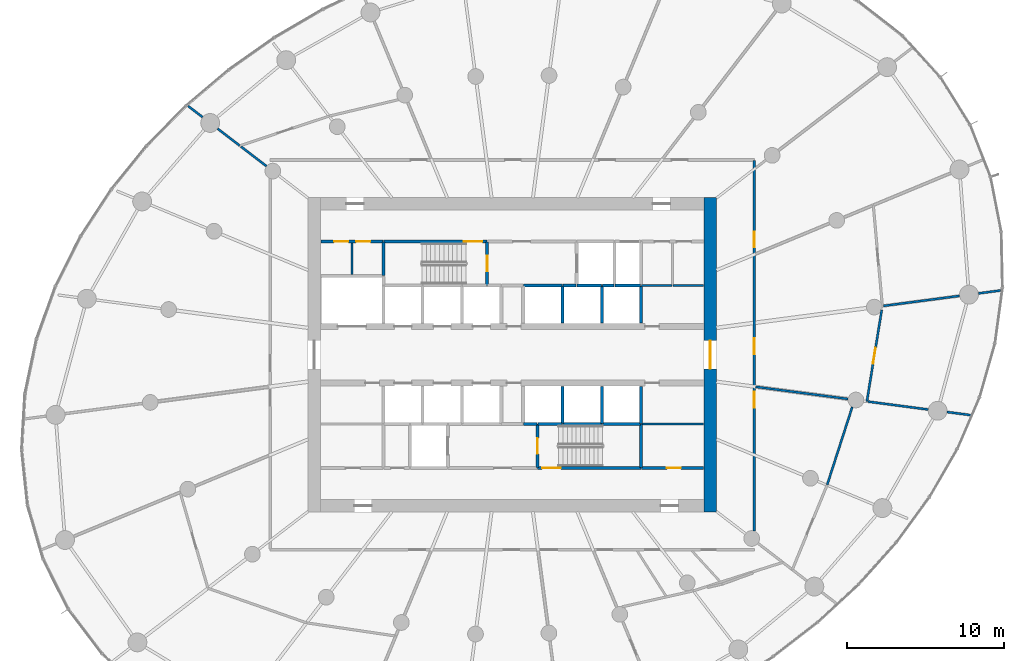
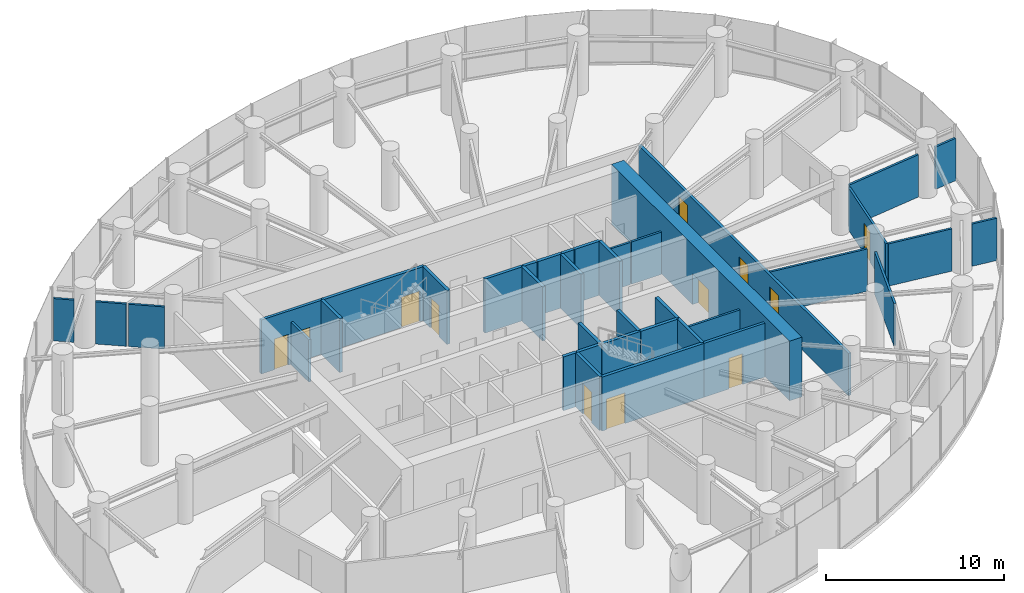
# One storey, part 12 of 17: 39 walls, 12 doors, 12 openings.
"""IFC4 building model written with IfcOpenShell, lengths in metres."""

from ifc_helpers import new_model, si_unit, direction, frame, frame_2d, origin, place, context, subcontext, project, spatial, rectangle, extrude, source, transform, mapped, material, layer, layer_set, type_object, element, fill, save


model = new_model("IFC4")

# Units and contexts
model_context = context("Model", 3, precision=1e-05, world=origin(), true_north=direction((0.0, 1.0)))
body_context = subcontext(model_context, "Body", "Model", "MODEL_VIEW")
ifc_project = project(units=[si_unit("LENGTHUNIT", "METRE"), si_unit("AREAUNIT", "SQUARE_METRE"), si_unit("VOLUMEUNIT", "CUBIC_METRE"), si_unit("PLANEANGLEUNIT", "RADIAN"), si_unit("MASSUNIT", "GRAM", prefix="KILO")], contexts=[model_context])

# Site, building, storey
site_placement = place(None, origin())
site = spatial("IfcSite", under=ifc_project, at=site_placement, CompositionType="ELEMENT")
building_placement = place(site_placement, origin())
building = spatial("IfcBuilding", under=site, at=building_placement, Name="Spindrift Exchange Tower", CompositionType="ELEMENT")
storey_placement = place(building_placement, frame((0.0, 0.0, 108.5)))
storey = spatial("IfcBuildingStorey", under=building, at=storey_placement, Name="L25", CompositionType="ELEMENT", Elevation=108.5)

# Wall, opening, door
ifc_material_1 = material(Name="Concrete 65 MPa", Category="concrete")
ifc_layer_1 = layer(ifc_material_1, 0.800048828125)
ifc_layer_set_1 = layer_set([ifc_layer_1], Name="RC Core Wall 800 Concrete 65 MPa")
wall_type_1 = type_object("IfcWallType", Name="RC Core Wall 800 Concrete 65 MPa", PredefinedType="SHEAR", material=ifc_layer_set_1)
wall_1_placement = place(storey_placement, frame((64.60009765625, 38.0, 0.0), z_axis=(0.0, 0.0, 1.0), x_axis=(0.0, 1.0, 0.0)))
wall_1 = element("IfcWall", 1, at=wall_1_placement, inside=storey, type_object=wall_type_1, Name="Core wall E L25", PredefinedType="SHEAR", context=body_context, shape_type="SweptSolid", body=[
    extrude(rectangle(XDim=20.0, YDim=0.800048828125, at=frame_2d((10.0, 0.0))), origin(), (0.0, 0.0, 1.0), 4.10009765625),
])
opening_1_placement = place(wall_1_placement, frame((9.10009765625, 0.0, 0.0)))
opening_1 = element("IfcOpeningElement", 2, at=opening_1_placement, cuts=wall_1, Name="Opening L25-D2", PredefinedType="OPENING", context=body_context, shape_type="SweptSolid", body=[
    extrude(rectangle(XDim=1.800048828125, YDim=2.10009765625, at=frame_2d((0.89990234375, 1.050048828125))), frame((0.0, 0.409912109375, 0.0), z_axis=(0.0, -1.0, 0.0), x_axis=(1.0, 0.0, 0.0)), (0.0, 0.0, 1.0), 0.820068359375),
])
ifc_material_2 = material(Name="Timber-core fire door", Category="wood")
door_type_1 = type_object("IfcDoorType", Name="DR-LOBBY-1800", OperationType="NOTDEFINED", PredefinedType="DOOR", material=ifc_material_2)
shared_shape_1 = source(origin(), body_context, "Body", "SweptSolid", [
    extrude(rectangle(XDim=1.800048828125, YDim=2.10009765625, at=frame_2d((0.89990234375, 1.050048828125))), frame((0.0, 0.02490234375, 0.0), z_axis=(0.0, -1.0, 0.0), x_axis=(1.0, 0.0, 0.0)), (0.0, 0.0, 1.0), 0.050048828125),
])
door_1_placement = place(opening_1_placement, origin())
door_1 = element("IfcDoor", 3, at=door_1_placement, inside=storey, type_object=door_type_1, Name="L25 Lobby door 2", OperationType="SINGLE_SWING_RIGHT", OverallHeight=2.10009765625, OverallWidth=1.800048828125, PredefinedType="DOOR", context=body_context, shape_type="MappedRepresentation", body=[
    mapped(shared_shape_1, transform((0.0, 0.0, 0.0), scale=1.0)),
])
fill(opening_1, door_1)

ifc_material_3 = material(Name="Fire-rated plasterboard partition", Category="gypsum")
ifc_layer_2 = layer(ifc_material_3, 0.179931640625)
ifc_layer_set_2 = layer_set([ifc_layer_2], Name="W-CORR-180")
wall_type_2 = type_object("IfcWallType", Name="W-CORR-180", PredefinedType="PARTITIONING", material=ifc_layer_set_2)
wall_2_placement = place(storey_placement, frame((60.22998046875, 40.800048828125, 0.0), z_axis=(0.0, 0.0, 1.0), x_axis=(1.0, 0.0, 0.0)))
wall_2 = element("IfcWall", 4, at=wall_2_placement, inside=storey, type_object=wall_type_2, Name="L25 Partition wall 61", PredefinedType="PARTITIONING", context=body_context, shape_type="SweptSolid", body=[
    extrude(rectangle(XDim=3.949951171875, YDim=0.179931640625, at=frame_2d((1.97509765625, 0.0))), origin(), (0.0, 0.0, 1.0), 3.699951171875),
])
opening_2_placement = place(wall_2_placement, frame((1.60009765625, 0.0, 0.0)))
opening_2 = element("IfcOpeningElement", 5, at=opening_2_placement, cuts=wall_2, Name="Opening L25-D53", PredefinedType="OPENING", context=body_context, shape_type="SweptSolid", body=[
    extrude(rectangle(XDim=0.89990234375, YDim=2.10009765625, at=frame_2d((0.449951171875, 1.050048828125))), frame((0.0, 0.099853515625, 0.0), z_axis=(0.0, -1.0, 0.0), x_axis=(1.0, 0.0, 0.0)), (0.0, 0.0, 1.0), 0.199951171875),
])
ifc_material_4 = material(Name="Steel access door", Category="steel")
door_type_2 = type_object("IfcDoorType", Name="DR-RISER-900", OperationType="NOTDEFINED", PredefinedType="DOOR", material=ifc_material_4)
shared_shape_2 = source(origin(), body_context, "Body", "SweptSolid", [
    extrude(rectangle(XDim=0.89990234375, YDim=2.10009765625, at=frame_2d((0.449951171875, 1.050048828125))), frame((0.0, 0.02490234375, 0.0), z_axis=(0.0, -1.0, 0.0), x_axis=(1.0, 0.0, 0.0)), (0.0, 0.0, 1.0), 0.050048828125),
])
door_2_placement = place(opening_2_placement, origin())
door_2 = element("IfcDoor", 6, at=door_2_placement, inside=storey, type_object=door_type_2, Name="L25 Riser door 53", OperationType="SINGLE_SWING_LEFT", OverallHeight=2.10009765625, OverallWidth=0.89990234375, PredefinedType="DOOR", context=body_context, shape_type="MappedRepresentation", body=[
    mapped(shared_shape_2, transform((0.0, 0.0, 0.0), scale=1.0)),
])
fill(opening_2, door_2)

# Wall, openings, doors
wall_3_placement = place(storey_placement, frame((43.77001953125, 55.199951171875, 0.0), z_axis=(0.0, 0.0, 1.0), x_axis=(-1.0, 0.0, 0.0)))
wall_3 = element("IfcWall", 7, at=wall_3_placement, inside=storey, type_object=wall_type_2, Name="L25 Partition wall 64", PredefinedType="PARTITIONING", context=body_context, shape_type="SweptSolid", body=[
    extrude(rectangle(XDim=3.949951171875, YDim=0.179931640625, at=frame_2d((1.97509765625, 0.0))), origin(), (0.0, 0.0, 1.0), 3.699951171875),
])
opening_3_placement = place(wall_3_placement, frame((2.199951171875, 0.0, 0.0)))
opening_3 = element("IfcOpeningElement", 8, at=opening_3_placement, cuts=wall_3, Name="Opening L25-D46", PredefinedType="OPENING", context=body_context, shape_type="SweptSolid", body=[
    extrude(rectangle(XDim=0.89990234375, YDim=2.10009765625, at=frame_2d((0.449951171875, 1.050048828125))), frame((0.0, 0.099853515625, 0.0), z_axis=(0.0, -1.0, 0.0), x_axis=(1.0, 0.0, 0.0)), (0.0, 0.0, 1.0), 0.199951171875),
])
opening_4_placement = place(wall_3_placement, frame((0.800048828125, 0.0, 0.0)))
opening_4 = element("IfcOpeningElement", 9, at=opening_4_placement, cuts=wall_3, Name="Opening L25-D47", PredefinedType="OPENING", context=body_context, shape_type="SweptSolid", body=[
    extrude(rectangle(XDim=0.89990234375, YDim=2.10009765625, at=frame_2d((0.449951171875, 1.050048828125))), frame((0.0, 0.099853515625, 0.0), z_axis=(0.0, -1.0, 0.0), x_axis=(1.0, 0.0, 0.0)), (0.0, 0.0, 1.0), 0.199951171875),
])
door_3_placement = place(opening_3_placement, origin())
door_3 = element("IfcDoor", 10, at=door_3_placement, inside=storey, type_object=door_type_2, Name="L25 Riser door 46", OperationType="SINGLE_SWING_RIGHT", OverallHeight=2.10009765625, OverallWidth=0.89990234375, PredefinedType="DOOR", context=body_context, shape_type="MappedRepresentation", body=[
    mapped(shared_shape_2, transform((0.0, 0.0, 0.0), scale=1.0)),
])
fill(opening_3, door_3)
door_4_placement = place(opening_4_placement, origin())
door_4 = element("IfcDoor", 11, at=door_4_placement, inside=storey, type_object=door_type_2, Name="L25 Riser door 47", OperationType="SINGLE_SWING_LEFT", OverallHeight=2.10009765625, OverallWidth=0.89990234375, PredefinedType="DOOR", context=body_context, shape_type="MappedRepresentation", body=[
    mapped(shared_shape_2, transform((0.0, 0.0, 0.0), scale=1.0)),
])
fill(opening_4, door_4)

# Walls
ifc_layer_3 = layer(ifc_material_3, 0.139892578125)
ifc_layer_set_3 = layer_set([ifc_layer_3], Name="W-PART-140")
wall_type_3 = type_object("IfcWallType", Name="W-PART-140", PredefinedType="PARTITIONING", material=ifc_layer_set_3)
wall_4_placement = place(storey_placement, frame((60.22998046875, 43.60009765625, 0.0), z_axis=(0.0, 0.0, 1.0), x_axis=(1.0, 0.0, 0.0)))
element("IfcWall", 12, at=wall_4_placement, inside=storey, type_object=wall_type_3, Name="L25 Partition wall 93", PredefinedType="PARTITIONING", context=body_context, shape_type="SweptSolid", body=[
    extrude(rectangle(XDim=3.949951171875, YDim=0.139892578125, at=frame_2d((1.97509765625, 0.0))), origin(), (0.0, 0.0, 1.0), 2.89990234375),
])
wall_5_placement = place(storey_placement, frame((74.631591796875, 45.0205078125, 0.0), z_axis=(0.0, 0.0, 1.0), x_axis=(0.991447632366, -0.130505142718, 0.0)))
element("IfcWall", 13, at=wall_5_placement, inside=storey, type_object=wall_type_3, Name="L25 Partition wall 97", PredefinedType="PARTITIONING", context=body_context, shape_type="SweptSolid", body=[
    extrude(rectangle(XDim=3.86669921875, YDim=0.139892578125, at=frame_2d((1.933349609375, 0.0))), origin(), (0.0, 0.0, 1.0), 2.89990234375),
])
wall_6_placement = place(storey_placement, frame((41.800048828125, 53.10009765625, 0.0), z_axis=(0.0, 0.0, 1.0), x_axis=(0.0, 1.0, 0.0)))
element("IfcWall", 14, at=wall_6_placement, inside=storey, type_object=wall_type_3, Name="L25 Partition wall 102", PredefinedType="PARTITIONING", context=body_context, shape_type="SweptSolid", body=[
    extrude(rectangle(XDim=2.010009765625, YDim=0.139892578125, at=frame_2d((1.0048828125, 0.0))), origin(), (0.0, 0.0, 1.0), 2.89990234375),
])
wall_7_placement = place(storey_placement, frame((62.169921875, 52.39990234375, 0.0), z_axis=(0.0, 0.0, 1.0), x_axis=(-1.0, 0.0, 0.0)))
element("IfcWall", 15, at=wall_7_placement, inside=storey, type_object=wall_type_3, Name="L25 Partition wall 105", PredefinedType="PARTITIONING", context=body_context, shape_type="SweptSolid", body=[
    extrude(rectangle(XDim=1.93994140625, YDim=0.139892578125, at=frame_2d((0.969970703125, 0.0))), origin(), (0.0, 0.0, 1.0), 2.89990234375),
])
wall_8_placement = place(storey_placement, frame((64.179931640625, 52.39990234375, 0.0), z_axis=(0.0, 0.0, 1.0), x_axis=(-1.0, 0.0, 0.0)))
element("IfcWall", 16, at=wall_8_placement, inside=storey, type_object=wall_type_3, Name="L25 Partition wall 107", PredefinedType="PARTITIONING", context=body_context, shape_type="SweptSolid", body=[
    extrude(rectangle(XDim=1.949951171875, YDim=0.139892578125, at=frame_2d((0.97509765625, 0.0))), origin(), (0.0, 0.0, 1.0), 2.89990234375),
])
wall_9_placement = place(storey_placement, frame((79.663818359375, 44.35791015625, 0.0), z_axis=(0.0, 0.0, 1.0), x_axis=(0.991447745975, -0.130504279629, 0.0)))
element("IfcWall", 17, at=wall_9_placement, inside=storey, type_object=wall_type_3, Name="L25 Partition wall 112", PredefinedType="PARTITIONING", context=body_context, shape_type="SweptSolid", body=[
    extrude(rectangle(XDim=1.522705078125, YDim=0.139892578125, at=frame_2d((0.76123046875, 0.0))), origin(), (0.0, 0.0, 1.0), 2.89990234375),
])
ifc_layer_4 = layer(ifc_material_3, 0.139892578125)
ifc_layer_set_4 = layer_set([ifc_layer_4], Name="W-PLANT-140")
wall_type_4 = type_object("IfcWallType", Name="W-PLANT-140", PredefinedType="PARTITIONING", material=ifc_layer_set_4)
wall_10_placement = place(storey_placement, frame((67.489990234375, 45.960693359375, 0.0), z_axis=(0.0, 0.0, 1.0), x_axis=(0.991445034615, -0.130524876315, 0.0)))
element("IfcWall", 18, at=wall_10_placement, inside=storey, type_object=wall_type_4, Name="L25 Partition wall 74", PredefinedType="PARTITIONING", context=body_context, shape_type="SweptSolid", body=[
    extrude(rectangle(XDim=5.923828125, YDim=0.139892578125, at=frame_2d((2.9619140625, 0.0))), origin(), (0.0, 0.0, 1.0), 2.89990234375),
])

# Wall, opening, door
wall_11_placement = place(storey_placement, frame((75.50732421875, 50.858154296875, 0.0), z_axis=(0.0, 0.0, 1.0), x_axis=(-0.160052648202, -0.987108479248, 0.0)))
wall_11 = element("IfcWall", 19, at=wall_11_placement, inside=storey, type_object=wall_type_4, Name="L25 Partition wall 77", PredefinedType="PARTITIONING", context=body_context, shape_type="SweptSolid", body=[
    extrude(rectangle(XDim=5.90478515625, YDim=0.139892578125, at=frame_2d((2.952392578125, 0.0))), origin(), (0.0, 0.0, 1.0), 2.89990234375),
])
opening_5_placement = place(wall_11_placement, frame((2.45458984375, 0.0, 0.0)))
opening_5 = element("IfcOpeningElement", 20, at=opening_5_placement, cuts=wall_11, Name="Opening L25-D31", PredefinedType="OPENING", context=body_context, shape_type="SweptSolid", body=[
    extrude(rectangle(XDim=1.0, YDim=2.10009765625, at=frame_2d((0.5, 1.050048828125))), frame((0.0, 0.079833984375, 0.0), z_axis=(0.0, -1.0, 0.0), x_axis=(1.0, 0.0, 0.0)), (0.0, 0.0, 1.0), 0.159912109375),
])
door_type_3 = type_object("IfcDoorType", Name="DR-ROOM-1000", OperationType="NOTDEFINED", PredefinedType="DOOR", material=ifc_material_2)
shared_shape_3 = source(origin(), body_context, "Body", "SweptSolid", [
    extrude(rectangle(XDim=1.0, YDim=2.10009765625, at=frame_2d((0.5, 1.050048828125))), frame((0.0, 0.02490234375, 0.0), z_axis=(0.0, -1.0, 0.0), x_axis=(1.0, 0.0, 0.0)), (0.0, 0.0, 1.0), 0.050048828125),
])
door_5_placement = place(opening_5_placement, origin())
door_5 = element("IfcDoor", 21, at=door_5_placement, inside=storey, type_object=door_type_3, Name="L25 Door 31", OperationType="SINGLE_SWING_LEFT", OverallHeight=2.10009765625, OverallWidth=1.0, PredefinedType="DOOR", context=body_context, shape_type="MappedRepresentation", body=[
    mapped(shared_shape_3, transform((0.0, 0.0, 0.0), scale=1.0)),
])
fill(opening_5, door_5)

# Walls
wall_12_placement = place(storey_placement, frame((72.037109375, 39.732666015625, 0.0), z_axis=(0.0, 0.0, 1.0), x_axis=(0.307028885335, 0.951700196265, 0.0)))
element("IfcWall", 22, at=wall_12_placement, inside=storey, type_object=wall_type_4, Name="L25 Partition wall 82", PredefinedType="PARTITIONING", context=body_context, shape_type="SweptSolid", body=[
    extrude(rectangle(XDim=5.191650390625, YDim=0.139892578125, at=frame_2d((2.595703125, 0.0))), origin(), (0.0, 0.0, 1.0), 2.89990234375),
])
wall_13_placement = place(storey_placement, frame((75.615966796875, 51.109130859375, 0.0), z_axis=(0.0, 0.0, 1.0), x_axis=(0.991441867731, 0.130548929177, 0.0)))
element("IfcWall", 23, at=wall_13_placement, inside=storey, type_object=wall_type_4, Name="L25 Partition wall 86", PredefinedType="PARTITIONING", context=body_context, shape_type="SweptSolid", body=[
    extrude(rectangle(XDim=4.8828125, YDim=0.139892578125, at=frame_2d((2.44140625, 0.0))), origin(), (0.0, 0.0, 1.0), 2.89990234375),
])
wall_14_placement = place(storey_placement, frame((36.367431640625, 59.995361328125, 0.0), z_axis=(0.0, 0.0, 1.0), x_axis=(-0.793389614633, 0.608714152449, 0.0)))
element("IfcWall", 24, at=wall_14_placement, inside=storey, type_object=wall_type_4, Name="L25 Partition wall 103", PredefinedType="PARTITIONING", context=body_context, shape_type="SweptSolid", body=[
    extrude(rectangle(XDim=2.049072265625, YDim=0.139892578125, at=frame_2d((1.0244140625, 0.0))), origin(), (0.0, 0.0, 1.0), 2.89990234375),
])
wall_15_placement = place(storey_placement, frame((34.65087890625, 61.3125, 0.0), z_axis=(0.0, 0.0, 1.0), x_axis=(-0.793368751306, 0.608741344456, 0.0)))
element("IfcWall", 25, at=wall_15_placement, inside=storey, type_object=wall_type_4, Name="L25 Partition wall 108", PredefinedType="PARTITIONING", context=body_context, shape_type="SweptSolid", body=[
    extrude(rectangle(XDim=1.75341796875, YDim=0.139892578125, at=frame_2d((0.876708984375, 0.0))), origin(), (0.0, 0.0, 1.0), 2.89990234375),
])
wall_16_placement = place(storey_placement, frame((81.655517578125, 51.904296875, 0.0), z_axis=(0.0, 0.0, 1.0), x_axis=(0.991440859851, 0.130556583206, 0.0)))
element("IfcWall", 26, at=wall_16_placement, inside=storey, type_object=wall_type_4, Name="L25 Partition wall 114", PredefinedType="PARTITIONING", context=body_context, shape_type="SweptSolid", body=[
    extrude(rectangle(XDim=1.423095703125, YDim=0.139892578125, at=frame_2d((0.71142578125, 0.0))), origin(), (0.0, 0.0, 1.0), 2.89990234375),
])
wall_17_placement = place(storey_placement, frame((32.30078125, 63.11572265625, 0.0), z_axis=(0.0, 0.0, 1.0), x_axis=(-0.793332880396, 0.608788091935, 0.0)))
element("IfcWall", 27, at=wall_17_placement, inside=storey, type_object=wall_type_4, Name="L25 Partition wall 117", PredefinedType="PARTITIONING", context=body_context, shape_type="SweptSolid", body=[
    extrude(rectangle(XDim=1.1640625, YDim=0.139892578125, at=frame_2d((0.58203125, 0.0))), origin(), (0.0, 0.0, 1.0), 2.89990234375),
])

# Wall, openings, doors
ifc_layer_5 = layer(ifc_material_3, 0.179931640625)
ifc_layer_set_5 = layer_set([ifc_layer_5], Name="W-PLANT-180")
wall_type_5 = type_object("IfcWallType", Name="W-PLANT-180", PredefinedType="PARTITIONING", material=ifc_layer_set_5)
wall_18_placement = place(storey_placement, frame((67.39990234375, 60.3701171875, 0.0), z_axis=(0.0, 0.0, 1.0), x_axis=(0.0, -1.0, 0.0)))
wall_18 = element("IfcWall", 28, at=wall_18_placement, inside=storey, type_object=wall_type_5, Name="L25 Partition wall 59", PredefinedType="PARTITIONING", context=body_context, shape_type="SweptSolid", body=[
    extrude(rectangle(XDim=23.58251953125, YDim=0.179931640625, at=frame_2d((11.791259765625, 0.0))), origin(), (0.0, 0.0, 1.0), 2.89990234375),
])
opening_6_placement = place(wall_18_placement, frame((14.732421875, 0.0, 0.0)))
opening_6 = element("IfcOpeningElement", 29, at=opening_6_placement, cuts=wall_18, Name="Opening L25-D27", PredefinedType="OPENING", context=body_context, shape_type="SweptSolid", body=[
    extrude(rectangle(XDim=1.0, YDim=2.10009765625, at=frame_2d((0.5, 1.050048828125))), frame((0.0, 0.099853515625, 0.0), z_axis=(0.0, -1.0, 0.0), x_axis=(1.0, 0.0, 0.0)), (0.0, 0.0, 1.0), 0.199951171875),
])
opening_7_placement = place(wall_18_placement, frame((11.33251953125, 0.0, 0.0)))
opening_7 = element("IfcOpeningElement", 30, at=opening_7_placement, cuts=wall_18, Name="Opening L25-D30", PredefinedType="OPENING", context=body_context, shape_type="SweptSolid", body=[
    extrude(rectangle(XDim=1.0, YDim=2.10009765625, at=frame_2d((0.5, 1.050048828125))), frame((0.0, 0.099853515625, 0.0), z_axis=(0.0, -1.0, 0.0), x_axis=(1.0, 0.0, 0.0)), (0.0, 0.0, 1.0), 0.199951171875),
])
opening_8_placement = place(wall_18_placement, frame((4.532470703125, 0.0, 0.0)))
opening_8 = element("IfcOpeningElement", 31, at=opening_8_placement, cuts=wall_18, Name="Opening L25-D33", PredefinedType="OPENING", context=body_context, shape_type="SweptSolid", body=[
    extrude(rectangle(XDim=1.0, YDim=2.10009765625, at=frame_2d((0.5, 1.050048828125))), frame((0.0, 0.099853515625, 0.0), z_axis=(0.0, -1.0, 0.0), x_axis=(1.0, 0.0, 0.0)), (0.0, 0.0, 1.0), 0.199951171875),
])
door_6_placement = place(opening_6_placement, origin())
door_6 = element("IfcDoor", 32, at=door_6_placement, inside=storey, type_object=door_type_3, Name="L25 Door 27", OperationType="SINGLE_SWING_LEFT", OverallHeight=2.10009765625, OverallWidth=1.0, PredefinedType="DOOR", context=body_context, shape_type="MappedRepresentation", body=[
    mapped(shared_shape_3, transform((0.0, 0.0, 0.0), scale=1.0)),
])
fill(opening_6, door_6)
door_7_placement = place(opening_7_placement, origin())
door_7 = element("IfcDoor", 33, at=door_7_placement, inside=storey, type_object=door_type_3, Name="L25 Door 30", OperationType="SINGLE_SWING_RIGHT", OverallHeight=2.10009765625, OverallWidth=1.0, PredefinedType="DOOR", context=body_context, shape_type="MappedRepresentation", body=[
    mapped(shared_shape_3, transform((0.0, 0.0, 0.0), scale=1.0)),
])
fill(opening_7, door_7)
door_8_placement = place(opening_8_placement, origin())
door_8 = element("IfcDoor", 34, at=door_8_placement, inside=storey, type_object=door_type_3, Name="L25 Door 33", OperationType="SINGLE_SWING_LEFT", OverallHeight=2.10009765625, OverallWidth=1.0, PredefinedType="DOOR", context=body_context, shape_type="MappedRepresentation", body=[
    mapped(shared_shape_3, transform((0.0, 0.0, 0.0), scale=1.0)),
])
fill(opening_8, door_8)

# Walls
ifc_material_5 = material(Name="Concrete 40 MPa", Category="concrete")
ifc_layer_6 = layer(ifc_material_5, 0.199951171875)
ifc_layer_set_6 = layer_set([ifc_layer_6], Name="W-SHAFT-200")
wall_type_6 = type_object("IfcWallType", Name="W-SHAFT-200", PredefinedType="SOLIDWALL", material=ifc_layer_set_6)
wall_19_placement = place(storey_placement, frame((55.199951171875, 52.39990234375, 0.0), z_axis=(0.0, 0.0, 1.0), x_axis=(-1.0, 0.0, 0.0)))
element("IfcWall", 35, at=wall_19_placement, inside=storey, type_object=wall_type_6, Name="L25 Shaft wall 18", PredefinedType="SOLIDWALL", context=body_context, shape_type="SweptSolid", body=[
    extrude(rectangle(XDim=2.5, YDim=0.199951171875, at=frame_2d((1.25, 0.0))), origin(), (0.0, 0.0, 1.0), 3.699951171875),
])
wall_20_placement = place(storey_placement, frame((55.199951171875, 50.010009765625, 0.0), z_axis=(0.0, 0.0, 1.0), x_axis=(0.0, 1.0, 0.0)))
element("IfcWall", 36, at=wall_20_placement, inside=storey, type_object=wall_type_6, Name="L25 Shaft wall 34", PredefinedType="SOLIDWALL", context=body_context, shape_type="SweptSolid", body=[
    extrude(rectangle(XDim=2.360107421875, YDim=0.199951171875, at=frame_2d((1.18017578125, 0.0))), origin(), (0.0, 0.0, 1.0), 3.699951171875),
])
wall_21_placement = place(storey_placement, frame((57.699951171875, 50.010009765625, 0.0), z_axis=(0.0, 0.0, 1.0), x_axis=(0.0, 1.0, 0.0)))
element("IfcWall", 37, at=wall_21_placement, inside=storey, type_object=wall_type_6, Name="L25 Shaft wall 36", PredefinedType="SOLIDWALL", context=body_context, shape_type="SweptSolid", body=[
    extrude(rectangle(XDim=2.389892578125, YDim=0.199951171875, at=frame_2d((1.19482421875, 0.0))), origin(), (0.0, 0.0, 1.0), 3.699951171875),
])
wall_22_placement = place(storey_placement, frame((60.199951171875, 50.010009765625, 0.0), z_axis=(0.0, 0.0, 1.0), x_axis=(0.0, 1.0, 0.0)))
element("IfcWall", 38, at=wall_22_placement, inside=storey, type_object=wall_type_6, Name="L25 Shaft wall 38", PredefinedType="SOLIDWALL", context=body_context, shape_type="SweptSolid", body=[
    extrude(rectangle(XDim=2.360107421875, YDim=0.199951171875, at=frame_2d((1.18017578125, 0.0))), origin(), (0.0, 0.0, 1.0), 3.699951171875),
])
wall_23_placement = place(storey_placement, frame((60.169921875, 52.39990234375, 0.0), z_axis=(0.0, 0.0, 1.0), x_axis=(-1.0, 0.0, 0.0)))
element("IfcWall", 39, at=wall_23_placement, inside=storey, type_object=wall_type_6, Name="L25 Shaft wall 42", PredefinedType="SOLIDWALL", context=body_context, shape_type="SweptSolid", body=[
    extrude(rectangle(XDim=1.639892578125, YDim=0.199951171875, at=frame_2d((0.81982421875, 0.0))), origin(), (0.0, 0.0, 1.0), 3.699951171875),
])
wall_24_placement = place(storey_placement, frame((57.669921875, 52.39990234375, 0.0), z_axis=(0.0, 0.0, 1.0), x_axis=(-1.0, 0.0, 0.0)))
element("IfcWall", 40, at=wall_24_placement, inside=storey, type_object=wall_type_6, Name="L25 Shaft wall 47", PredefinedType="SOLIDWALL", context=body_context, shape_type="SweptSolid", body=[
    extrude(rectangle(XDim=1.5400390625, YDim=0.199951171875, at=frame_2d((0.77001953125, 0.0))), origin(), (0.0, 0.0, 1.0), 3.699951171875),
])
wall_25_placement = place(storey_placement, frame((56.070068359375, 52.39990234375, 0.0), z_axis=(0.0, 0.0, 1.0), x_axis=(-1.0, 0.0, 0.0)))
element("IfcWall", 41, at=wall_25_placement, inside=storey, type_object=wall_type_6, Name="L25 Shaft wall 53", PredefinedType="SOLIDWALL", context=body_context, shape_type="SweptSolid", body=[
    extrude(rectangle(XDim=0.840087890625, YDim=0.199951171875, at=frame_2d((0.419921875, 0.0))), origin(), (0.0, 0.0, 1.0), 3.699951171875),
])
wall_26_placement = place(storey_placement, frame((58.469970703125, 52.39990234375, 0.0), z_axis=(0.0, 0.0, 1.0), x_axis=(-1.0, 0.0, 0.0)))
element("IfcWall", 42, at=wall_26_placement, inside=storey, type_object=wall_type_6, Name="L25 Shaft wall 55", PredefinedType="SOLIDWALL", context=body_context, shape_type="SweptSolid", body=[
    extrude(rectangle(XDim=0.739990234375, YDim=0.199951171875, at=frame_2d((0.3701171875, 0.0))), origin(), (0.0, 0.0, 1.0), 3.699951171875),
])

# Wall, opening, door
ifc_layer_7 = layer(ifc_material_5, 0.199951171875)
ifc_layer_set_7 = layer_set([ifc_layer_7], Name="W-SHAFT-200-LB")
wall_type_7 = type_object("IfcWallType", Name="W-SHAFT-200-LB", PredefinedType="SOLIDWALL", material=ifc_layer_set_7)
wall_27_placement = place(storey_placement, frame((50.39990234375, 55.199951171875, 0.0), z_axis=(0.0, 0.0, 1.0), x_axis=(-1.0, 0.0, 0.0)))
wall_27 = element("IfcWall", 43, at=wall_27_placement, inside=storey, type_object=wall_type_7, Name="L25 Shaft wall 1", PredefinedType="SOLIDWALL", context=body_context, shape_type="SweptSolid", body=[
    extrude(rectangle(XDim=6.599853515625, YDim=0.199951171875, at=frame_2d((3.2998046875, 0.0))), origin(), (0.0, 0.0, 1.0), 3.699951171875),
])
opening_9_placement = place(wall_27_placement, frame((0.300048828125, 0.0, 0.0)))
opening_9 = element("IfcOpeningElement", 44, at=opening_9_placement, cuts=wall_27, Name="Opening L25-D13", PredefinedType="OPENING", context=body_context, shape_type="SweptSolid", body=[
    extrude(rectangle(XDim=1.199951171875, YDim=2.10009765625, at=frame_2d((0.60009765625, 1.050048828125))), frame((0.0, 0.10986328125, 0.0), z_axis=(0.0, -1.0, 0.0), x_axis=(1.0, 0.0, 0.0)), (0.0, 0.0, 1.0), 0.219970703125),
])
ifc_material_6 = material(Name="Steel fire door", Category="steel")
door_type_4 = type_object("IfcDoorType", Name="DR-STAIR-1200", OperationType="NOTDEFINED", PredefinedType="DOOR", material=ifc_material_6)
shared_shape_4 = source(origin(), body_context, "Body", "SweptSolid", [
    extrude(rectangle(XDim=1.199951171875, YDim=2.10009765625, at=frame_2d((0.60009765625, 1.050048828125))), frame((0.0, 0.02490234375, 0.0), z_axis=(0.0, -1.0, 0.0), x_axis=(1.0, 0.0, 0.0)), (0.0, 0.0, 1.0), 0.050048828125),
])
door_9_placement = place(opening_9_placement, origin())
door_9 = element("IfcDoor", 45, at=door_9_placement, inside=storey, type_object=door_type_4, Name="L25 Stair door 13", OperationType="SINGLE_SWING_LEFT", OverallHeight=2.10009765625, OverallWidth=1.199951171875, PredefinedType="DOOR", context=body_context, shape_type="MappedRepresentation", body=[
    mapped(shared_shape_4, transform((0.0, 0.0, 0.0), scale=1.0)),
])
fill(opening_9, door_9)

wall_28_placement = place(storey_placement, frame((53.60009765625, 40.800048828125, 0.0), z_axis=(0.0, 0.0, 1.0), x_axis=(1.0, 0.0, 0.0)))
wall_28 = element("IfcWall", 46, at=wall_28_placement, inside=storey, type_object=wall_type_7, Name="L25 Shaft wall 2", PredefinedType="SOLIDWALL", context=body_context, shape_type="SweptSolid", body=[
    extrude(rectangle(XDim=6.599853515625, YDim=0.199951171875, at=frame_2d((3.2998046875, 0.0))), origin(), (0.0, 0.0, 1.0), 3.699951171875),
])
opening_10_placement = place(wall_28_placement, frame((0.300048828125, 0.0, 0.0)))
opening_10 = element("IfcOpeningElement", 47, at=opening_10_placement, cuts=wall_28, Name="Opening L25-D16", PredefinedType="OPENING", context=body_context, shape_type="SweptSolid", body=[
    extrude(rectangle(XDim=1.199951171875, YDim=2.10009765625, at=frame_2d((0.60009765625, 1.050048828125))), frame((0.0, 0.10986328125, 0.0), z_axis=(0.0, -1.0, 0.0), x_axis=(1.0, 0.0, 0.0)), (0.0, 0.0, 1.0), 0.219970703125),
])
door_10_placement = place(opening_10_placement, origin())
door_10 = element("IfcDoor", 48, at=door_10_placement, inside=storey, type_object=door_type_4, Name="L25 Stair door 16", OperationType="SINGLE_SWING_RIGHT", OverallHeight=2.10009765625, OverallWidth=1.199951171875, PredefinedType="DOOR", context=body_context, shape_type="MappedRepresentation", body=[
    mapped(shared_shape_4, transform((0.0, 0.0, 0.0), scale=1.0)),
])
fill(opening_10, door_10)

wall_29_placement = place(storey_placement, frame((50.39990234375, 52.39990234375, 0.0), z_axis=(0.0, 0.0, 1.0), x_axis=(0.0, 1.0, 0.0)))
wall_29 = element("IfcWall", 49, at=wall_29_placement, inside=storey, type_object=wall_type_7, Name="L25 Shaft wall 9", PredefinedType="SOLIDWALL", context=body_context, shape_type="SweptSolid", body=[
    extrude(rectangle(XDim=2.77001953125, YDim=0.199951171875, at=frame_2d((1.385009765625, 0.0))), origin(), (0.0, 0.0, 1.0), 3.699951171875),
])
opening_11_placement = place(wall_29_placement, frame((0.89990234375, 0.0, 0.0)))
opening_11 = element("IfcOpeningElement", 50, at=opening_11_placement, cuts=wall_29, Name="Opening L25-D14", PredefinedType="OPENING", context=body_context, shape_type="SweptSolid", body=[
    extrude(rectangle(XDim=1.0, YDim=2.10009765625, at=frame_2d((0.5, 1.050048828125))), frame((0.0, 0.10986328125, 0.0), z_axis=(0.0, -1.0, 0.0), x_axis=(1.0, 0.0, 0.0)), (0.0, 0.0, 1.0), 0.219970703125),
])
door_type_5 = type_object("IfcDoorType", Name="DR-STAIR-1000", OperationType="NOTDEFINED", PredefinedType="DOOR", material=ifc_material_6)
shared_shape_5 = source(origin(), body_context, "Body", "SweptSolid", [
    extrude(rectangle(XDim=1.0, YDim=2.10009765625, at=frame_2d((0.5, 1.050048828125))), frame((0.0, 0.02490234375, 0.0), z_axis=(0.0, -1.0, 0.0), x_axis=(1.0, 0.0, 0.0)), (0.0, 0.0, 1.0), 0.050048828125),
])
door_11_placement = place(opening_11_placement, origin())
door_11 = element("IfcDoor", 51, at=door_11_placement, inside=storey, type_object=door_type_5, Name="L25 Stair door 14", OperationType="SINGLE_SWING_RIGHT", OverallHeight=2.10009765625, OverallWidth=1.0, PredefinedType="DOOR", context=body_context, shape_type="MappedRepresentation", body=[
    mapped(shared_shape_5, transform((0.0, 0.0, 0.0), scale=1.0)),
])
fill(opening_11, door_11)

# Wall
wall_30_placement = place(storey_placement, frame((60.199951171875, 40.830078125, 0.0), z_axis=(0.0, 0.0, 1.0), x_axis=(0.0, 1.0, 0.0)))
element("IfcWall", 52, at=wall_30_placement, inside=storey, type_object=wall_type_7, Name="L25 Shaft wall 10", PredefinedType="SOLIDWALL", context=body_context, shape_type="SweptSolid", body=[
    extrude(rectangle(XDim=2.77001953125, YDim=0.199951171875, at=frame_2d((1.385009765625, 0.0))), origin(), (0.0, 0.0, 1.0), 3.699951171875),
])

# Wall, opening, door
wall_31_placement = place(storey_placement, frame((53.60009765625, 43.60009765625, 0.0), z_axis=(0.0, 0.0, 1.0), x_axis=(0.0, -1.0, 0.0)))
wall_31 = element("IfcWall", 53, at=wall_31_placement, inside=storey, type_object=wall_type_7, Name="L25 Shaft wall 11", PredefinedType="SOLIDWALL", context=body_context, shape_type="SweptSolid", body=[
    extrude(rectangle(XDim=2.77001953125, YDim=0.199951171875, at=frame_2d((1.385009765625, 0.0))), origin(), (0.0, 0.0, 1.0), 3.699951171875),
])
opening_12_placement = place(wall_31_placement, frame((0.89990234375, 0.0, 0.0)))
opening_12 = element("IfcOpeningElement", 54, at=opening_12_placement, cuts=wall_31, Name="Opening L25-D17", PredefinedType="OPENING", context=body_context, shape_type="SweptSolid", body=[
    extrude(rectangle(XDim=1.0, YDim=2.10009765625, at=frame_2d((0.5, 1.050048828125))), frame((0.0, 0.10986328125, 0.0), z_axis=(0.0, -1.0, 0.0), x_axis=(1.0, 0.0, 0.0)), (0.0, 0.0, 1.0), 0.219970703125),
])
door_12_placement = place(opening_12_placement, origin())
door_12 = element("IfcDoor", 55, at=door_12_placement, inside=storey, type_object=door_type_5, Name="L25 Stair door 17", OperationType="SINGLE_SWING_LEFT", OverallHeight=2.10009765625, OverallWidth=1.0, PredefinedType="DOOR", context=body_context, shape_type="MappedRepresentation", body=[
    mapped(shared_shape_5, transform((0.0, 0.0, 0.0), scale=1.0)),
])
fill(opening_12, door_12)

# Walls
wall_32_placement = place(storey_placement, frame((55.199951171875, 43.60009765625, 0.0), z_axis=(0.0, 0.0, 1.0), x_axis=(1.0, 0.0, 0.0)))
element("IfcWall", 56, at=wall_32_placement, inside=storey, type_object=wall_type_7, Name="L25 Shaft wall 19", PredefinedType="SOLIDWALL", context=body_context, shape_type="SweptSolid", body=[
    extrude(rectangle(XDim=2.5, YDim=0.199951171875, at=frame_2d((1.25, 0.0))), origin(), (0.0, 0.0, 1.0), 3.699951171875),
])
wall_33_placement = place(storey_placement, frame((57.72998046875, 43.60009765625, 0.0), z_axis=(0.0, 0.0, 1.0), x_axis=(1.0, 0.0, 0.0)))
element("IfcWall", 57, at=wall_33_placement, inside=storey, type_object=wall_type_7, Name="L25 Shaft wall 20", PredefinedType="SOLIDWALL", context=body_context, shape_type="SweptSolid", body=[
    extrude(rectangle(XDim=2.43994140625, YDim=0.199951171875, at=frame_2d((1.219970703125, 0.0))), origin(), (0.0, 0.0, 1.0), 3.699951171875),
])
for number, where, z_axis, x_axis, name in (
    (58, (55.199951171875, 43.6298828125, 0.0), (0.0, 0.0, 1.0), (0.0, 1.0, 0.0), "L25 Shaft wall 33"),
    (59, (57.699951171875, 43.6298828125, 0.0), (0.0, 0.0, 1.0), (0.0, 1.0, 0.0), "L25 Shaft wall 35"),
    (60, (60.199951171875, 43.6298828125, 0.0), (0.0, 0.0, 1.0), (0.0, 1.0, 0.0), "L25 Shaft wall 37"),
):
    element("IfcWall", number, at=place(storey_placement, frame(where, z_axis=z_axis, x_axis=x_axis)), inside=storey, type_object=wall_type_7, Name=name, PredefinedType="SOLIDWALL", context=body_context, shape_type="SweptSolid", body=[
        extrude(rectangle(XDim=2.360107421875, YDim=0.199951171875, at=frame_2d((1.18017578125, 0.0))), origin(), (0.0, 0.0, 1.0), 3.699951171875),
    ])
wall_34_placement = place(storey_placement, frame((43.800048828125, 55.169921875, 0.0), z_axis=(0.0, 0.0, 1.0), x_axis=(0.0, -1.0, 0.0)))
element("IfcWall", 61, at=wall_34_placement, inside=storey, type_object=wall_type_7, Name="L25 Shaft wall 39", PredefinedType="SOLIDWALL", context=body_context, shape_type="SweptSolid", body=[
    extrude(rectangle(XDim=2.139892578125, YDim=0.199951171875, at=frame_2d((1.06982421875, 0.0))), origin(), (0.0, 0.0, 1.0), 3.699951171875),
])
wall_35_placement = place(storey_placement, frame((53.6298828125, 43.60009765625, 0.0), z_axis=(0.0, 0.0, 1.0), x_axis=(1.0, 0.0, 0.0)))
element("IfcWall", 62, at=wall_35_placement, inside=storey, type_object=wall_type_7, Name="L25 Shaft wall 46", PredefinedType="SOLIDWALL", context=body_context, shape_type="SweptSolid", body=[
    extrude(rectangle(XDim=1.5400390625, YDim=0.199951171875, at=frame_2d((0.77001953125, 0.0))), origin(), (0.0, 0.0, 1.0), 3.699951171875),
])
wall_36_placement = place(storey_placement, frame((52.72998046875, 43.60009765625, 0.0), z_axis=(0.0, 0.0, 1.0), x_axis=(1.0, 0.0, 0.0)))
element("IfcWall", 63, at=wall_36_placement, inside=storey, type_object=wall_type_7, Name="L25 Shaft wall 52", PredefinedType="SOLIDWALL", context=body_context, shape_type="SweptSolid", body=[
    extrude(rectangle(XDim=0.840087890625, YDim=0.199951171875, at=frame_2d((0.419921875, 0.0))), origin(), (0.0, 0.0, 1.0), 3.699951171875),
])

save(model, "model.ifc")
